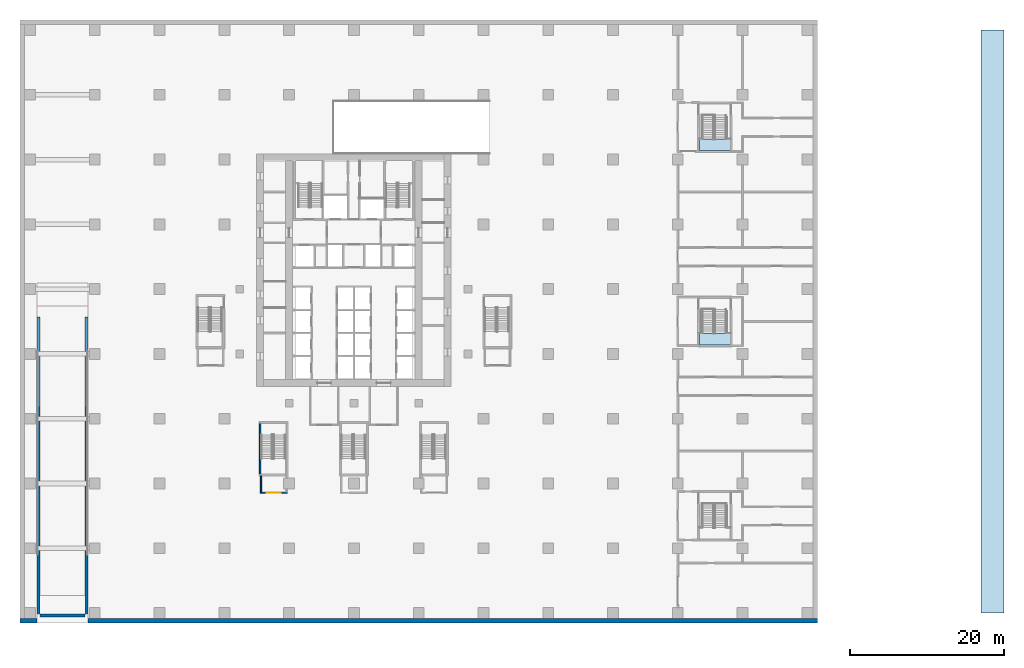
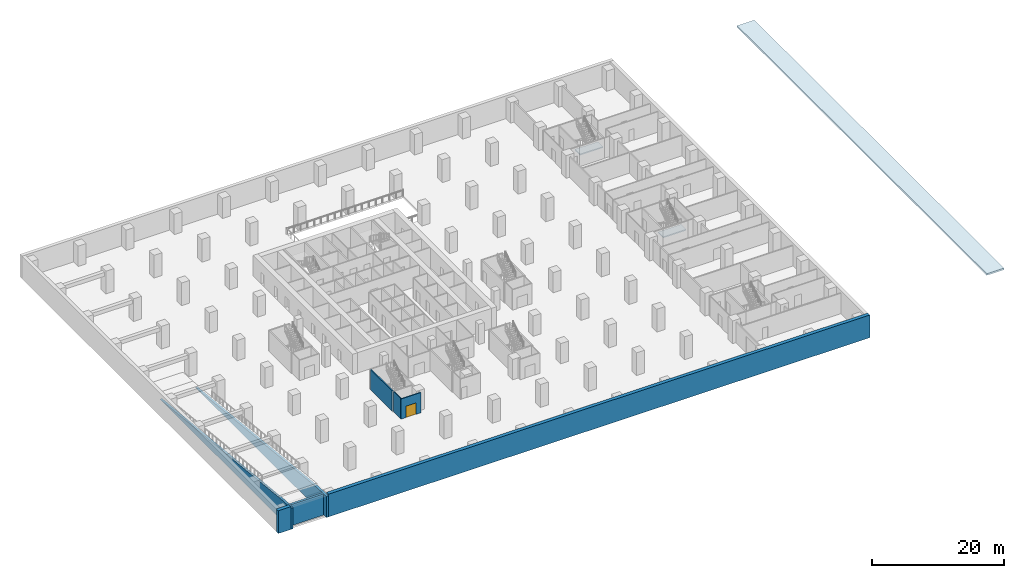
# One storey, part 3 of 17: 8 walls, 3 slabs, 1 door, 1 opening, 2 elements without a shape of their own.
"""IFC4 building model written with IfcOpenShell, lengths in metres."""

from ifc_helpers import new_model, si_unit, direction, frame, frame_2d, origin, place, context, subcontext, project, spatial, polyline, rectangle, outline, extrude, material, layer, layer_set, type_object, element, fill, aggregate, save


model = new_model("IFC4")

# Units and contexts
model_context = context("Model", 3, precision=1e-05, world=origin(), true_north=direction((0.0, 1.0)))
body_context = subcontext(model_context, "Body", "Model", "MODEL_VIEW")
ifc_project = project(units=[si_unit("LENGTHUNIT", "METRE"), si_unit("AREAUNIT", "SQUARE_METRE"), si_unit("VOLUMEUNIT", "CUBIC_METRE"), si_unit("PLANEANGLEUNIT", "RADIAN"), si_unit("MASSUNIT", "GRAM", prefix="KILO")], contexts=[model_context])

# Site, building, storey
site_placement = place(None, origin())
site = spatial("IfcSite", under=ifc_project, at=site_placement, CompositionType="ELEMENT")
building_placement = place(site_placement, origin())
building = spatial("IfcBuilding", under=site, at=building_placement, Name="Vermilion Ogive Tower", CompositionType="ELEMENT")
storey_placement = place(building_placement, frame((0.0, 0.0, -4.199951171875)))
storey = spatial("IfcBuildingStorey", under=building, at=storey_placement, Name="B1", CompositionType="ELEMENT", Elevation=-4.199951171875)

# Stair, slab
ifc_material_1 = material(Name="Concrete B40", Category="concrete")
stair_type = type_object("IfcStairType", Name="Exit stair 1500", PredefinedType="HALF_TURN_STAIR", material=ifc_material_1)
stair_1_placement = place(storey_placement, origin())
stair_1 = element("IfcStair", 1, at=stair_1_placement, inside=storey, type_object=stair_type, Name="B1 Exit Stair PEN", PredefinedType="HALF_TURN_STAIR")
ifc_material_2 = material(Name="Concrete B40", Category="concrete")
ifc_layer_1 = layer(ifc_material_2, 0.199951171875)
ifc_layer_set_1 = layer_set([ifc_layer_1], Name="Stair landing 200")
slab_type_1 = type_object("IfcSlabType", Name="Stair landing 200", PredefinedType="LANDING", material=ifc_layer_set_1)
slab_1_placement = place(storey_placement, frame((0.0, 0.0, 1.89990234375)))
slab_1 = element("IfcSlab", 2, at=slab_1_placement, type_object=slab_type_1, Name="PEN landing 1", PredefinedType="LANDING", context=body_context, shape_type="SweptSolid", body=[
    extrude(outline(polyline([(48.8125, 23.669921875), (48.300048828125, 23.669921875), (48.300048828125, 23.672119140625), (46.800048828125, 23.672119140625), (46.800048828125, 23.669921875), (46.64990234375, 23.669921875), (46.64990234375, 23.672119140625), (45.14990234375, 23.672119140625), (45.14990234375, 23.669921875), (44.787353515625, 23.669921875), (44.787353515625, 22.150146484375), (48.8125, 22.150146484375), (48.8125, 23.669921875)])), origin(), (0.0, 0.0, 1.0), 0.199951171875),
])
aggregate(stair_1, [slab_1])

stair_2_placement = place(storey_placement, origin())
stair_2 = element("IfcStair", 3, at=stair_2_placement, inside=storey, type_object=stair_type, Name="B1 Exit Stair PEC", PredefinedType="HALF_TURN_STAIR")
slab_2_placement = place(storey_placement, frame((0.0, 0.0, 1.89990234375)))
slab_2 = element("IfcSlab", 4, at=slab_2_placement, type_object=slab_type_1, Name="PEC landing 1", PredefinedType="LANDING", context=body_context, shape_type="SweptSolid", body=[
    extrude(outline(polyline([(48.8125, -1.530029296875), (48.300048828125, -1.530029296875), (48.300048828125, -1.528076171875), (46.800048828125, -1.528076171875), (46.800048828125, -1.530029296875), (46.64990234375, -1.530029296875), (46.64990234375, -1.528076171875), (45.14990234375, -1.528076171875), (45.14990234375, -1.530029296875), (44.787353515625, -1.530029296875), (44.787353515625, -3.0498046875), (48.8125, -3.0498046875), (48.8125, -1.530029296875)])), origin(), (0.0, 0.0, 1.0), 0.199951171875),
])
aggregate(stair_2, [slab_2])

# Slab
ifc_material_3 = material(Name="Concrete B45", Category="concrete")
ifc_layer_2 = layer(ifc_material_3, 0.300048828125)
ifc_layer_set_2 = layer_set([ifc_layer_2], Name="Terrace step slab 300")
slab_type_2 = type_object("IfcSlabType", Name="Terrace step slab 300", PredefinedType="BASESLAB", material=ifc_layer_set_2)
slab_3_placement = place(storey_placement, frame((0.0, 0.0, 3.300048828125)))
element("IfcSlab", 5, at=slab_3_placement, inside=storey, type_object=slab_type_2, Name="Riverside terrace step 4", PredefinedType="BASESLAB", context=body_context, shape_type="SweptSolid", body=[
    extrude(outline(polyline([(84.300048828125, -37.800048828125), (84.300048828125, 37.800048828125), (81.300048828125, 37.800048828125), (81.300048828125, -37.800048828125), (84.300048828125, -37.800048828125)])), origin(), (0.0, 0.0, 1.0), 0.2998046875),
])

# Walls
ifc_material_4 = material(Name="Concrete B45", Category="concrete")
ifc_layer_3 = layer(ifc_material_4, 0.60009765625)
ifc_layer_set_3 = layer_set([ifc_layer_3], Name="Basement wall RW600")
wall_type_1 = type_object("IfcWallType", Name="Basement wall RW600", PredefinedType="SOLIDWALL", material=ifc_layer_set_3)
wall_1_placement = place(storey_placement, frame((-43.300048828125, -38.800048828125, 0.0), z_axis=(0.0, 0.0, 1.0), x_axis=(1.0, 0.0, 0.0)))
element("IfcWall", 6, at=wall_1_placement, inside=storey, type_object=wall_type_1, Name="Retaining wall B1 S", PredefinedType="SOLIDWALL", context=body_context, shape_type="SweptSolid", body=[
    extrude(rectangle(XDim=2.199951171875, YDim=0.60009765625, at=frame_2d((1.10009765625, 0.0))), origin(), (0.0, 0.0, 1.0), 4.199951171875),
])
wall_2_placement = place(storey_placement, frame((-34.5, -38.800048828125, 0.0), z_axis=(0.0, 0.0, 1.0), x_axis=(1.0, 0.0, 0.0)))
element("IfcWall", 7, at=wall_2_placement, inside=storey, type_object=wall_type_1, Name="Retaining wall B1 S", PredefinedType="SOLIDWALL", context=body_context, shape_type="SweptSolid", body=[
    extrude(rectangle(XDim=94.60009765625, YDim=0.60009765625, at=frame_2d((47.300048828125, 0.0))), origin(), (0.0, 0.0, 1.0), 4.199951171875),
])
ifc_material_5 = material(Name="Concrete B45", Category="concrete")
ifc_layer_4 = layer(ifc_material_5, 0.39990234375)
ifc_layer_set_4 = layer_set([ifc_layer_4], Name="Car park ramp wall 400 Concrete B45")
wall_type_2 = type_object("IfcWallType", Name="Car park ramp wall 400 Concrete B45", PredefinedType="SOLIDWALL", material=ifc_layer_set_4)
for number, where, z_axis, x_axis, name in (
    (8, (-34.699951171875, 5.0, 0.0), (0.0, 0.0, 1.0), (0.0, -1.0, 0.0), "Car park ramp RA to grade wall L"),
    (9, (-40.89990234375, 5.0, 0.0), (0.0, 0.0, 1.0), (0.0, -1.0, 0.0), "Car park ramp RA to grade wall R"),
):
    element("IfcWall", number, at=place(storey_placement, frame(where, z_axis=z_axis, x_axis=x_axis)), inside=storey, type_object=wall_type_2, Name=name, PredefinedType="SOLIDWALL", context=body_context, shape_type="SweptSolid", body=[
        extrude(outline(polyline([(0.0, 0.0), (44.10009765625, 0.0), (44.10009765625, 3.89990234375), (43.5, 3.89990234375), (42.89990234375, 3.8994140625), (40.5, 3.74267578125), (3.0, -0.144775390625), (0.0, -0.300537109375), (0.0, 0.0)])), frame((0.0, 0.199951171875, 0.0), z_axis=(0.0, -1.0, 0.0), x_axis=(1.0, 0.0, 0.0)), (0.0, 0.0, 1.0), 0.39990234375),
    ])
wall_3_placement = place(storey_placement, frame((-40.699951171875, -38.10009765625, 0.0), z_axis=(0.0, 0.0, 1.0), x_axis=(1.0, 0.0, 0.0)))
element("IfcWall", 10, at=wall_3_placement, inside=storey, type_object=wall_type_2, Name="Car park ramp RA to grade head wall", PredefinedType="SOLIDWALL", context=body_context, shape_type="SweptSolid", body=[
    extrude(rectangle(XDim=5.800048828125, YDim=0.39990234375, at=frame_2d((2.89990234375, 0.0))), origin(), (0.0, 0.0, 1.0), 3.89990234375),
])

# Wall, opening, door
ifc_material_6 = material(Name="Gypsum board partition on steel studs", Category="steel")
ifc_layer_5 = layer(ifc_material_6, 0.14990234375)
ifc_layer_set_5 = layer_set([ifc_layer_5], Name="Partition 150 corridor")
wall_type_3 = type_object("IfcWallType", Name="Partition 150 corridor", PredefinedType="PARTITIONING", material=ifc_layer_set_5)
wall_4_placement = place(storey_placement, frame((-12.125, -22.199951171875, 0.0), z_axis=(0.0, 0.0, 1.0), x_axis=(1.0, 0.0, 0.0)))
wall_4 = element("IfcWall", 11, at=wall_4_placement, inside=storey, type_object=wall_type_3, Name="B1-PK-W-W007", PredefinedType="PARTITIONING", context=body_context, shape_type="SweptSolid", body=[
    extrude(rectangle(XDim=3.449951171875, YDim=0.14990234375, at=frame_2d((1.72509765625, 0.0))), origin(), (0.0, 0.0, 1.0), 3.75),
])
opening_placement = place(wall_4_placement, frame((0.824951171875, 0.0, 0.0)))
opening = element("IfcOpeningElement", 12, at=opening_placement, cuts=wall_4, Name="Opening PK1-03", PredefinedType="OPENING", context=body_context, shape_type="SweptSolid", body=[
    extrude(rectangle(XDim=1.800048828125, YDim=2.10009765625, at=frame_2d((0.89990234375, 1.050048828125))), frame((0.0, 0.0849609375, 0.0), z_axis=(0.0, -1.0, 0.0), x_axis=(1.0, 0.0, 0.0)), (0.0, 0.0, 1.0), 0.169921875),
])
ifc_material_7 = material(Name="Timber door leaf", Category="wood")
door_type = type_object("IfcDoorType", Name="Lobby door 1800 x 2100 FD60S", OperationType="DOUBLE_DOOR_SINGLE_SWING", PredefinedType="DOOR", material=ifc_material_7)
door_placement = place(opening_placement, origin())
door = element("IfcDoor", 13, at=door_placement, inside=storey, type_object=door_type, Name="B1-PK-D-D003", OperationType="DOUBLE_DOOR_SINGLE_SWING", OverallHeight=2.10009765625, OverallWidth=1.800048828125, PredefinedType="DOOR", context=body_context, shape_type="SweptSolid", body=[
    extrude(rectangle(XDim=1.800048828125, YDim=2.10009765625, at=frame_2d((0.89990234375, 1.050048828125))), frame((0.0, 0.02490234375, 0.0), z_axis=(0.0, -1.0, 0.0), x_axis=(1.0, 0.0, 0.0)), (0.0, 0.0, 1.0), 0.050048828125),
])
fill(opening, door)

# Walls
wall_5_placement = place(storey_placement, frame((-12.050048828125, -22.125, 0.0), z_axis=(0.0, 0.0, 1.0), x_axis=(0.0, 1.0, 0.0)))
element("IfcWall", 14, at=wall_5_placement, inside=storey, type_object=wall_type_3, Name="B1-PK-W-W040", PredefinedType="PARTITIONING", context=body_context, shape_type="SweptSolid", body=[
    extrude(rectangle(XDim=2.125, YDim=0.14990234375, at=frame_2d((1.0625, 0.0))), origin(), (0.0, 0.0, 1.0), 3.75),
])
ifc_material_8 = material(Name="Concrete B60", Category="concrete")
ifc_layer_6 = layer(ifc_material_8, 0.199951171875)
ifc_layer_set_6 = layer_set([ifc_layer_6], Name="Stair shaft wall 200 Concrete B60")
wall_type_4 = type_object("IfcWallType", Name="Stair shaft wall 200 Concrete B60", PredefinedType="SOLIDWALL", material=ifc_layer_set_6)
wall_6_placement = place(storey_placement, frame((-12.14990234375, -19.800048828125, 0.0), z_axis=(0.0, 0.0, 1.0), x_axis=(0.0, 1.0, 0.0)))
element("IfcWall", 15, at=wall_6_placement, inside=storey, type_object=wall_type_4, Name="B1-SW-ST3-W1", PredefinedType="SOLIDWALL", context=body_context, shape_type="SweptSolid", body=[
    extrude(rectangle(XDim=6.60009765625, YDim=0.199951171875, at=frame_2d((3.300048828125, 0.0))), origin(), (0.0, 0.0, 1.0), 3.75),
])

save(model, "model.ifc")
